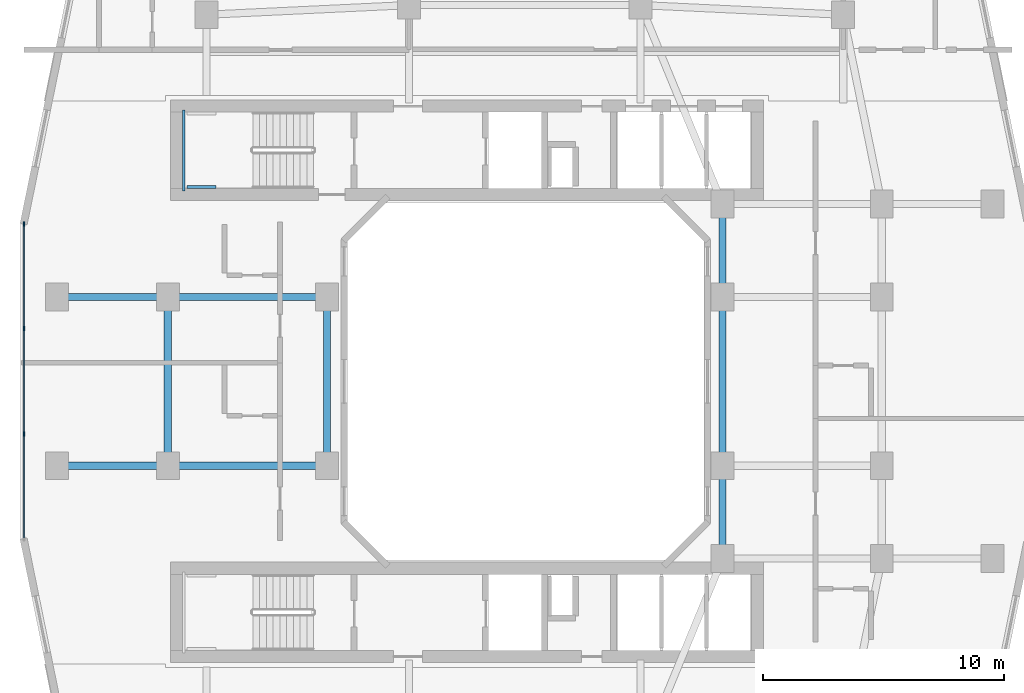
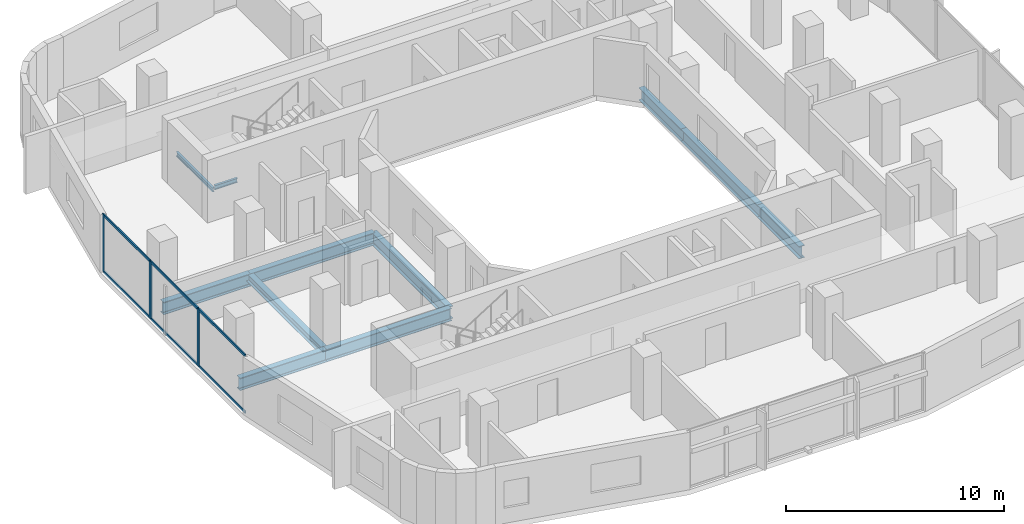
# One storey, part 3 of 26: 11 beams, 9 members, 1 element without a shape of its own.
"""IFC4 building model written with IfcOpenShell, lengths in metres."""

from ifc_helpers import new_model, si_unit, derived_unit, direction, frame, origin, origin_2d, place, context, subcontext, project, spatial, rectangle, i_section, extrude, material, layer, layer_set, material_profile, profile_set, type_object, element, aggregate, save


model = new_model("IFC4")

# Units and contexts
model_context = context("Model", 3, precision=1e-05, world=origin(), true_north=direction((0.0, 1.0)))
body_context = subcontext(model_context, "Body", "Model", "MODEL_VIEW")
ifc_project = project(units=[si_unit("LENGTHUNIT", "METRE"), si_unit("AREAUNIT", "SQUARE_METRE"), si_unit("VOLUMEUNIT", "CUBIC_METRE"), si_unit("PLANEANGLEUNIT", "RADIAN"), si_unit("MASSUNIT", "GRAM", prefix="KILO"), derived_unit("THERMALTRANSMITTANCEUNIT", [(si_unit("POWERUNIT", "WATT"), 1), (si_unit("LENGTHUNIT", "METRE"), -2), (si_unit("THERMODYNAMICTEMPERATUREUNIT", "KELVIN"), -1)])], contexts=[model_context])

# Site, building, storey
site_placement = place(None, origin())
site = spatial("IfcSite", under=ifc_project, at=site_placement, CompositionType="ELEMENT")
building_placement = place(site_placement, origin())
building = spatial("IfcBuilding", under=site, at=building_placement, Name="Kivonza Crest Hotel", CompositionType="ELEMENT")
storey_placement = place(building_placement, frame((0.0, 0.0, 66.0)))
storey = spatial("IfcBuildingStorey", under=building, at=storey_placement, Name="L17", CompositionType="ELEMENT", Elevation=66.0)

# Beams
ifc_material_1 = material(Name="Steel S355", Category="steel")
ifc_material_profile_1 = material_profile(ifc_material_1, i_section(OverallWidth=0.300048828125, OverallDepth=0.449951171875, WebThickness=0.013916015625, FlangeThickness=0.02587890625, FilletRadius=0.027099609375, at=origin_2d()), Name="HEB 450")
ifc_profile_set_1 = profile_set([ifc_material_profile_1], Name="Steel S355")
beam_type_1 = type_object("IfcBeamType", Name="BM-HEB450", PredefinedType="SPANDREL", material=ifc_profile_set_1)
beam_1_placement = place(storey_placement, frame((6.199951171875, 28.5, -0.5048828125), z_axis=(0.0, -1.0, 0.0), x_axis=(1.0, 0.0, 0.0)))
element("IfcBeam", 1, at=beam_1_placement, inside=storey, type_object=beam_type_1, Name="Tower T1 L17 perimeter spandrel W2-W1", PredefinedType="SPANDREL", context=body_context, shape_type="SweptSolid", body=[
    extrude(i_section(OverallWidth=0.300048828125, OverallDepth=0.449951171875, WebThickness=0.013916015625, FlangeThickness=0.02587890625, FilletRadius=0.027099609375, at=origin_2d()), origin(), (0.0, 0.0, 1.0), 7.0),
])
ifc_material_profile_2 = material_profile(ifc_material_1, i_section(OverallWidth=0.300048828125, OverallDepth=0.699951171875, WebThickness=0.01708984375, FlangeThickness=0.031982421875, FilletRadius=0.027099609375, at=origin_2d()), Name="HEB 700")
ifc_profile_set_2 = profile_set([ifc_material_profile_2], Name="Steel S355")
beam_type_2 = type_object("IfcBeamType", Name="BM-HEB700", PredefinedType="BEAM", material=ifc_profile_set_2)
for number, where, z_axis, x_axis, name in (
    (2, (6.199951171875, 21.5, -0.6298828125), (1.0, 0.0, 0.0), (0.0, 1.0, 0.0), "Tower T1 L17 primary girder W1-WL1"),
    (3, (6.199951171875, 28.5, -0.6298828125), (1.0, 0.0, 0.0), (0.0, 1.0, 0.0), "Tower T1 L17 primary girder W2-WL2"),
):
    element("IfcBeam", number, at=place(storey_placement, frame(where, z_axis=z_axis, x_axis=x_axis)), inside=storey, type_object=beam_type_2, Name=name, PredefinedType="BEAM", context=body_context, shape_type="SweptSolid", body=[
        extrude(i_section(OverallWidth=0.300048828125, OverallDepth=0.699951171875, WebThickness=0.01708984375, FlangeThickness=0.031982421875, FilletRadius=0.027099609375, at=origin_2d()), origin(), (0.0, 0.0, 1.0), 6.60009765625),
    ])
for number, where, z_axis, x_axis, name in (
    (4, (12.800048828125, 21.5, -0.6298828125), (0.0, 1.0, 0.0), (-1.0, 0.0, 0.0), "Tower T1 L17 primary girder WL1-WL2"),
    (5, (29.199951171875, 21.5, -0.6298828125), (0.0, 1.0, 0.0), (-1.0, 0.0, 0.0), "Tower T1 L17 primary girder WR1-WR2"),
):
    element("IfcBeam", number, at=place(storey_placement, frame(where, z_axis=z_axis, x_axis=x_axis)), inside=storey, type_object=beam_type_2, Name=name, PredefinedType="BEAM", context=body_context, shape_type="SweptSolid", body=[
        extrude(i_section(OverallWidth=0.300048828125, OverallDepth=0.699951171875, WebThickness=0.01708984375, FlangeThickness=0.031982421875, FilletRadius=0.027099609375, at=origin_2d()), origin(), (0.0, 0.0, 1.0), 7.0),
    ])
for number, where, z_axis, x_axis, name in (
    (6, (29.199951171875, 17.64990234375, -0.6298828125), (0.0, 1.0, 0.0), (-1.0, 0.0, 0.0), "Tower T1 L17 primary girder TSE-WR1"),
    (7, (29.199951171875, 28.5, -0.6298828125), (0.0, 1.0, 0.0), (-1.0, 0.0, 0.0), "Tower T1 L17 primary girder WR2-TNE"),
):
    element("IfcBeam", number, at=place(storey_placement, frame(where, z_axis=z_axis, x_axis=x_axis)), inside=storey, type_object=beam_type_2, Name=name, PredefinedType="BEAM", context=body_context, shape_type="SweptSolid", body=[
        extrude(i_section(OverallWidth=0.300048828125, OverallDepth=0.699951171875, WebThickness=0.01708984375, FlangeThickness=0.031982421875, FilletRadius=0.027099609375, at=origin_2d()), origin(), (0.0, 0.0, 1.0), 3.85009765625),
    ])
for number, where, z_axis, x_axis, name in (
    (8, (1.60009765625, 21.5, -0.6298828125), (1.0, 0.0, 0.0), (0.0, 1.0, 0.0), "Tower T1 L17 outer bay girder ZW1"),
    (9, (1.60009765625, 28.5, -0.6298828125), (1.0, 0.0, 0.0), (0.0, 1.0, 0.0), "Tower T1 L17 outer bay girder ZW2"),
):
    element("IfcBeam", number, at=place(storey_placement, frame(where, z_axis=z_axis, x_axis=x_axis)), inside=storey, type_object=beam_type_2, Name=name, PredefinedType="BEAM", context=body_context, shape_type="SweptSolid", body=[
        extrude(i_section(OverallWidth=0.300048828125, OverallDepth=0.699951171875, WebThickness=0.01708984375, FlangeThickness=0.031982421875, FilletRadius=0.027099609375, at=origin_2d()), origin(), (0.0, 0.0, 1.0), 4.599853515625),
    ])
ifc_material_profile_3 = material_profile(ifc_material_1, i_section(OverallWidth=0.1201171875, OverallDepth=0.239990234375, WebThickness=0.006103515625, FlangeThickness=0.009765625, FilletRadius=0.014892578125, at=origin_2d()), Name="IPE 240")
ifc_profile_set_3 = profile_set([ifc_material_profile_3], Name="Steel S355")
beam_type_3 = type_object("IfcBeamType", Name="BM-LLDG-240", PredefinedType="BEAM", material=ifc_profile_set_3)
beam_2_placement = place(storey_placement, frame((6.860107421875, 32.89990234375, 1.429931640625), z_axis=(0.0, 1.0, 0.0), x_axis=(-1.0, 0.0, 0.0)))
element("IfcBeam", 10, at=beam_2_placement, inside=storey, type_object=beam_type_3, Name="Stair ST-T1-N L17 West landing corbel", PredefinedType="BEAM", context=body_context, shape_type="SweptSolid", body=[
    extrude(i_section(OverallWidth=0.1201171875, OverallDepth=0.239990234375, WebThickness=0.006103515625, FlangeThickness=0.009765625, FilletRadius=0.014892578125, at=origin_2d()), origin(), (0.0, 0.0, 1.0), 3.360107421875),
])
beam_3_placement = place(storey_placement, frame((6.989990234375, 33.06005859375, 1.429931640625), z_axis=(1.0, 0.0, 0.0), x_axis=(0.0, 1.0, 0.0)))
element("IfcBeam", 11, at=beam_3_placement, inside=storey, type_object=beam_type_3, Name="Stair ST-T1-N L17 South landing corbel", PredefinedType="BEAM", context=body_context, shape_type="SweptSolid", body=[
    extrude(i_section(OverallWidth=0.1201171875, OverallDepth=0.239990234375, WebThickness=0.006103515625, FlangeThickness=0.009765625, FilletRadius=0.014892578125, at=origin_2d()), origin(), (0.0, 0.0, 1.0), 1.2099609375),
])

# Curtain wall, members
ifc_material_2 = material(Name="Anodised bronze aluminium and low-E double glazing", Category="aluminium")
ifc_layer = layer(ifc_material_2, 0.179931640625)
ifc_layer_set = layer_set([ifc_layer], Name="Anodised bronze aluminium and low-E double glazing")
curtain_wall_type = type_object("IfcCurtainWallType", Name="CW-SYS-2", PredefinedType="NOTDEFINED", material=ifc_layer_set)
curtain_wall_placement = place(storey_placement, origin())
curtain_wall = element("IfcCurtainWall", 12, at=curtain_wall_placement, inside=storey, type_object=curtain_wall_type, Name="L17 unitised curtain wall CW-T1-L17-35", PredefinedType="NOTDEFINED")
ifc_material_3 = material(Name="Anodised bronze aluminium", Category="aluminium")
ifc_material_profile_4 = material_profile(ifc_material_3, rectangle(XDim=0.06494140625, YDim=0.179931640625, at=origin_2d()), Name="CW-M 65x180")
ifc_profile_set_4 = profile_set([ifc_material_profile_4], Name="Anodised bronze aluminium")
member_type_1 = type_object("IfcMemberType", Name="CW-MUL-65x180", PredefinedType="MULLION", material=ifc_profile_set_4)
member_1_placement = place(storey_placement, frame((0.239990234375, 31.527587890625, 0.0), z_axis=(0.0, 0.0, 1.0), x_axis=(1.0, 0.0, 0.0)))
member_1 = element("IfcMember", 13, at=member_1_placement, type_object=member_type_1, Name="CW-2 mullion 1", PredefinedType="MULLION", context=body_context, shape_type="SweptSolid", body=[
    extrude(rectangle(XDim=0.06494140625, YDim=0.179931640625, at=origin_2d()), origin(), (0.0, 0.0, 1.0), 3.219970703125),
])
member_2_placement = place(storey_placement, frame((0.239990234375, 27.186767578125, 0.0), z_axis=(0.0, 0.0, 1.0), x_axis=(1.0, 0.0, 0.0)))
member_2 = element("IfcMember", 14, at=member_2_placement, type_object=member_type_1, Name="CW-2 mullion 2", PredefinedType="MULLION", context=body_context, shape_type="SweptSolid", body=[
    extrude(rectangle(XDim=0.06494140625, YDim=0.179931640625, at=origin_2d()), origin(), (0.0, 0.0, 1.0), 3.219970703125),
])
member_3_placement = place(storey_placement, frame((0.239990234375, 22.813232421875, 0.0), z_axis=(0.0, 0.0, 1.0), x_axis=(1.0, 0.0, 0.0)))
member_3 = element("IfcMember", 15, at=member_3_placement, type_object=member_type_1, Name="CW-2 mullion 3", PredefinedType="MULLION", context=body_context, shape_type="SweptSolid", body=[
    extrude(rectangle(XDim=0.06494140625, YDim=0.179931640625, at=origin_2d()), origin(), (0.0, 0.0, 1.0), 3.219970703125),
])
ifc_material_profile_5 = material_profile(ifc_material_3, rectangle(XDim=0.06494140625, YDim=0.139892578125, at=origin_2d()), Name="CW-T 65x140")
ifc_profile_set_5 = profile_set([ifc_material_profile_5], Name="Anodised bronze aluminium")
member_type_2 = type_object("IfcMemberType", Name="CW-TRN-65x140", PredefinedType="USERDEFINED", material=ifc_profile_set_5)
member_4_placement = place(storey_placement, frame((0.239990234375, 31.4951171875, 0.032470703125), z_axis=(0.0, -1.0, 0.0), x_axis=(1.0, 0.0, 0.0)))
member_4 = element("IfcMember", 16, at=member_4_placement, type_object=member_type_2, Name="CW-2 transom 1.1", ObjectType="TRANSOM", PredefinedType="USERDEFINED", context=body_context, shape_type="SweptSolid", body=[
    extrude(rectangle(XDim=0.06494140625, YDim=0.139892578125, at=origin_2d()), origin(), (0.0, 0.0, 1.0), 4.27587890625),
])
member_5_placement = place(storey_placement, frame((0.239990234375, 31.4951171875, 3.1875), z_axis=(0.0, -1.0, 0.0), x_axis=(1.0, 0.0, 0.0)))
member_5 = element("IfcMember", 17, at=member_5_placement, type_object=member_type_2, Name="CW-2 transom 1.2", ObjectType="TRANSOM", PredefinedType="USERDEFINED", context=body_context, shape_type="SweptSolid", body=[
    extrude(rectangle(XDim=0.06494140625, YDim=0.139892578125, at=origin_2d()), origin(), (0.0, 0.0, 1.0), 4.27587890625),
])
member_6_placement = place(storey_placement, frame((0.239990234375, 27.154052734375, 0.032470703125), z_axis=(0.0, -1.0, 0.0), x_axis=(1.0, 0.0, 0.0)))
member_6 = element("IfcMember", 18, at=member_6_placement, type_object=member_type_2, Name="CW-2 transom 2.1", ObjectType="TRANSOM", PredefinedType="USERDEFINED", context=body_context, shape_type="SweptSolid", body=[
    extrude(rectangle(XDim=0.06494140625, YDim=0.139892578125, at=origin_2d()), origin(), (0.0, 0.0, 1.0), 4.30810546875),
])
member_7_placement = place(storey_placement, frame((0.239990234375, 27.154052734375, 3.1875), z_axis=(0.0, -1.0, 0.0), x_axis=(1.0, 0.0, 0.0)))
member_7 = element("IfcMember", 19, at=member_7_placement, type_object=member_type_2, Name="CW-2 transom 2.2", ObjectType="TRANSOM", PredefinedType="USERDEFINED", context=body_context, shape_type="SweptSolid", body=[
    extrude(rectangle(XDim=0.06494140625, YDim=0.139892578125, at=origin_2d()), origin(), (0.0, 0.0, 1.0), 4.30810546875),
])
member_8_placement = place(storey_placement, frame((0.239990234375, 22.78076171875, 0.032470703125), z_axis=(0.0, -1.0, 0.0), x_axis=(1.0, 0.0, 0.0)))
member_8 = element("IfcMember", 20, at=member_8_placement, type_object=member_type_2, Name="CW-2 transom 3.1", ObjectType="TRANSOM", PredefinedType="USERDEFINED", context=body_context, shape_type="SweptSolid", body=[
    extrude(rectangle(XDim=0.06494140625, YDim=0.139892578125, at=origin_2d()), origin(), (0.0, 0.0, 1.0), 4.27587890625),
])
member_9_placement = place(storey_placement, frame((0.239990234375, 22.78076171875, 3.1875), z_axis=(0.0, -1.0, 0.0), x_axis=(1.0, 0.0, 0.0)))
member_9 = element("IfcMember", 21, at=member_9_placement, type_object=member_type_2, Name="CW-2 transom 3.2", ObjectType="TRANSOM", PredefinedType="USERDEFINED", context=body_context, shape_type="SweptSolid", body=[
    extrude(rectangle(XDim=0.06494140625, YDim=0.139892578125, at=origin_2d()), origin(), (0.0, 0.0, 1.0), 4.27587890625),
])
aggregate(curtain_wall, [member_1, member_2, member_3, member_4, member_5, member_6, member_7, member_8, member_9])

save(model, "model.ifc")
